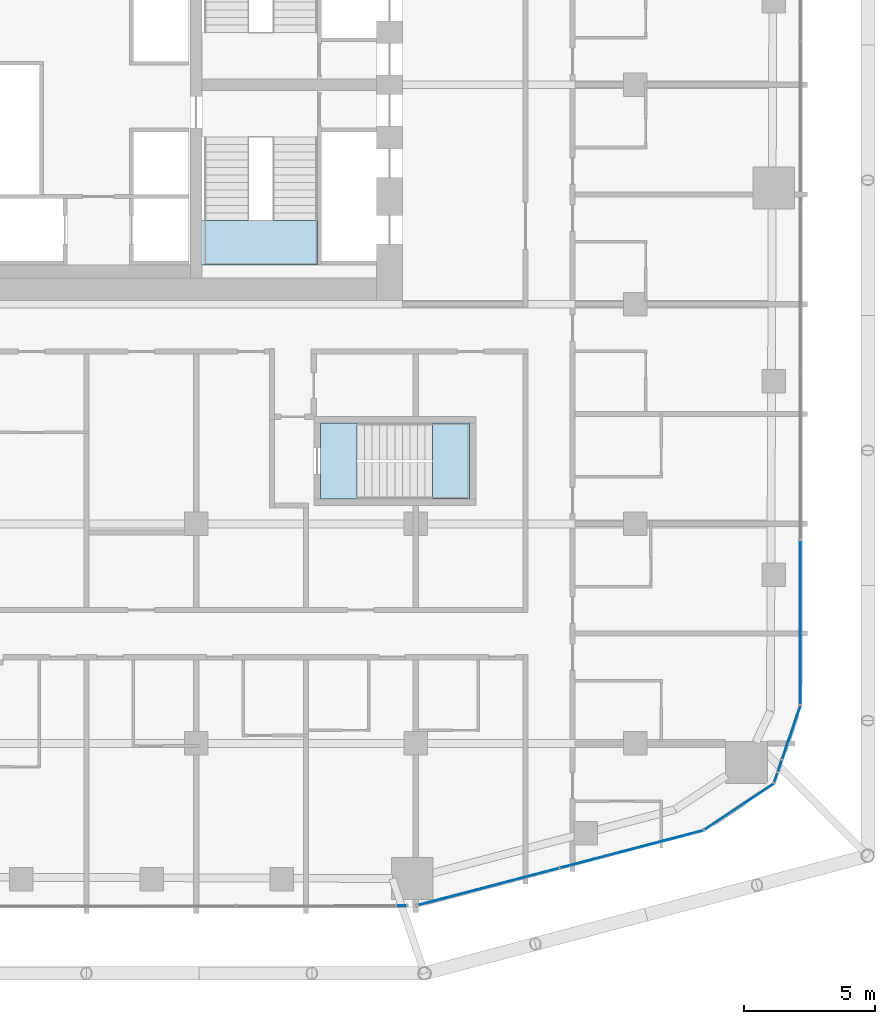
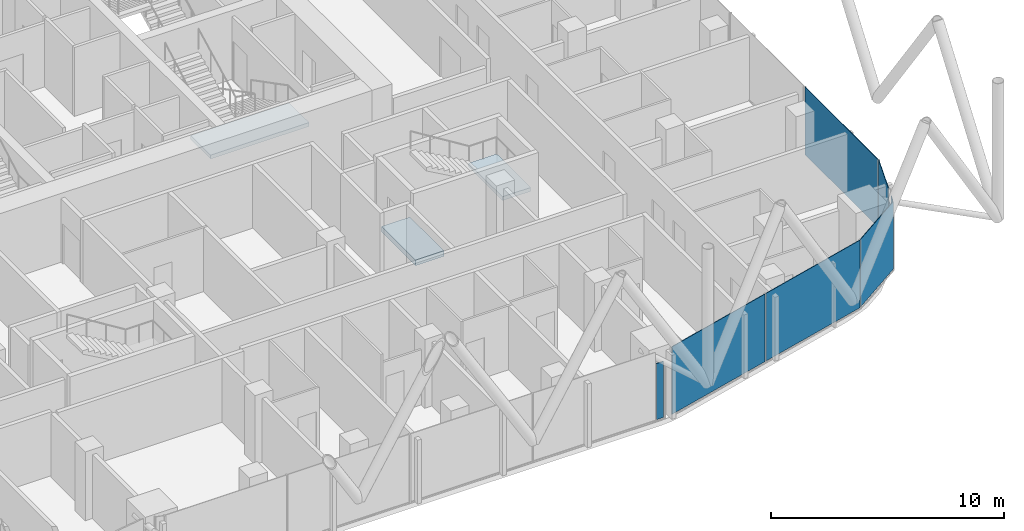
# One storey, part 20 of 33: 8 plates, 3 slabs, 9 elements without a shape of their own.
"""IFC4 building model written with IfcOpenShell, lengths in metres."""

from ifc_helpers import new_model, si_unit, direction, frame, origin, origin_2d, place, context, subcontext, project, spatial, polyline, rectangle, outline, extrude, material, layer, layer_set, type_object, element, aggregate, save


model = new_model("IFC4")

# Units and contexts
model_context = context("Model", 3, precision=1e-05, world=origin(), true_north=direction((0.0, 1.0)))
body_context = subcontext(model_context, "Body", "Model", "MODEL_VIEW")
ifc_project = project(units=[si_unit("LENGTHUNIT", "METRE"), si_unit("AREAUNIT", "SQUARE_METRE"), si_unit("VOLUMEUNIT", "CUBIC_METRE"), si_unit("PLANEANGLEUNIT", "RADIAN"), si_unit("MASSUNIT", "GRAM", prefix="KILO")], contexts=[model_context])

# Site, building, storey
site_placement = place(None, origin())
site = spatial("IfcSite", under=ifc_project, at=site_placement, CompositionType="ELEMENT")
building_placement = place(site_placement, origin())
building = spatial("IfcBuilding", under=site, at=building_placement, Name="Marenta Gate Hotel Tower", CompositionType="ELEMENT")
storey_placement = place(building_placement, frame((0.0, 0.0, 137.300048828125)))
storey = spatial("IfcBuildingStorey", under=building, at=storey_placement, Name="L31", CompositionType="ELEMENT", Elevation=137.300048828125)

# Stair, slab
ifc_material_1 = material(Name="Concrete C40", Category="concrete")
stair_type_1 = type_object("IfcStairType", Name="Core exit stair 1700 wide", PredefinedType="HALF_TURN_STAIR", material=ifc_material_1)
stair_1_placement = place(storey_placement, origin())
stair_1 = element("IfcStair", 1, at=stair_1_placement, inside=storey, type_object=stair_type_1, Name="Exit stair 3", PredefinedType="HALF_TURN_STAIR")
ifc_material_2 = material(Name="Concrete C40", Category="concrete")
ifc_layer_1 = layer(ifc_material_2, 0.199951171875)
ifc_layer_set_1 = layer_set([ifc_layer_1], Name="Concrete C40")
slab_type_1 = type_object("IfcSlabType", Name="Core stair landing 200", PredefinedType="LANDING", material=ifc_layer_set_1)
slab_1_placement = place(storey_placement, frame((0.0, 0.0, 1.599853515625)))
slab_1 = element("IfcSlab", 2, at=slab_1_placement, type_object=slab_type_1, Name="SL-200 ST3 landing 1", PredefinedType="LANDING", context=body_context, shape_type="SweptSolid", body=[
    extrude(outline(polyline([(3.97509765625, 1.5), (8.85009765625, 1.5), (8.85009765625, 3.2099609375), (3.97509765625, 3.2099609375), (3.97509765625, 1.5)])), origin(), (0.0, 0.0, 1.0), 0.2001953125),
])
aggregate(stair_1, [slab_1])

# Curtain wall, plate
ifc_material_3 = material(Name="Tinted insulated glass in bronze anodised frame", Category="glass")
ifc_layer_2 = layer(ifc_material_3, 0.1201171875)
ifc_layer_set_2 = layer_set([ifc_layer_2], Name="Tinted insulated glass in bronze anodised frame")
curtain_wall_type = type_object("IfcCurtainWallType", Name="Tower unitised curtain wall CW1", PredefinedType="NOTDEFINED", material=ifc_layer_set_2)
curtain_wall_1_placement = place(storey_placement, origin())
curtain_wall_1 = element("IfcCurtainWall", 3, at=curtain_wall_1_placement, inside=storey, type_object=curtain_wall_type, Name="CW1 run G13", PredefinedType="NOTDEFINED")
ifc_material_4 = material(Name="Tinted insulated glass", Category="glass")
ifc_layer_3 = layer(ifc_material_4, 0.028076171875)
ifc_layer_set_3 = layer_set([ifc_layer_3], Name="Tinted insulated glass")
plate_type = type_object("IfcPlateType", Name="Glass panel CW1 28 mm tinted insulated unit", PredefinedType="CURTAIN_PANEL", material=ifc_layer_set_3)
plate_1_placement = place(storey_placement, frame((12.060791015625, -23.013916015625, 0.06005859375), z_axis=(0.0, 0.0, 1.0), x_axis=(0.999999212858, 0.001254704164, 0.0)))
plate_1 = element("IfcPlate", 4, at=plate_1_placement, type_object=plate_type, Name="CW1 panel 1.1", PredefinedType="CURTAIN_PANEL", context=body_context, shape_type="SweptSolid", body=[
    extrude(rectangle(XDim=0.358154296875, YDim=0.028076171875, at=origin_2d()), origin(), (0.0, 0.0, 1.0), 2.9404296875),
])
aggregate(curtain_wall_1, [plate_1])

# Curtain wall, plates
curtain_wall_2_placement = place(storey_placement, origin())
curtain_wall_2 = element("IfcCurtainWall", 5, at=curtain_wall_2_placement, inside=storey, type_object=curtain_wall_type, Name="CW1 run G14", PredefinedType="NOTDEFINED")
plate_2_placement = place(storey_placement, frame((15.36474609375, -22.28857421875, 0.059814453125), z_axis=(0.0, 0.0, 1.0), x_axis=(0.967368326473, 0.253374270473, 0.0)))
plate_2 = element("IfcPlate", 6, at=plate_2_placement, type_object=plate_type, Name="CW1 panel 1.1", PredefinedType="CURTAIN_PANEL", context=body_context, shape_type="SweptSolid", body=[
    extrude(rectangle(XDim=5.6005859375, YDim=0.028076171875, at=origin_2d()), origin(), (0.0, 0.0, 1.0), 3.5400390625),
])
plate_3_placement = place(storey_placement, frame((20.86962890625, -20.8466796875, 0.059814453125), z_axis=(0.0, 0.0, 1.0), x_axis=(0.967368326473, 0.253374270473, 0.0)))
plate_3 = element("IfcPlate", 7, at=plate_3_placement, type_object=plate_type, Name="CW1 panel 2.1", PredefinedType="CURTAIN_PANEL", context=body_context, shape_type="SweptSolid", body=[
    extrude(rectangle(XDim=5.66064453125, YDim=0.028076171875, at=origin_2d()), origin(), (0.0, 0.0, 1.0), 3.5400390625),
])
aggregate(curtain_wall_2, [plate_2, plate_3])

# Curtain wall, plate
curtain_wall_3_placement = place(storey_placement, origin())
curtain_wall_3 = element("IfcCurtainWall", 8, at=curtain_wall_3_placement, inside=storey, type_object=curtain_wall_type, Name="CW1 run G15", PredefinedType="NOTDEFINED")
plate_4_placement = place(storey_placement, frame((24.981201171875, -19.215576171875, 0.059814453125), z_axis=(0.0, 0.0, 1.0), x_axis=(0.832505857051, 0.554016243423, 0.0)))
plate_4 = element("IfcPlate", 9, at=plate_4_placement, type_object=plate_type, Name="CW1 panel 1.1", PredefinedType="CURTAIN_PANEL", context=body_context, shape_type="SweptSolid", body=[
    extrude(rectangle(XDim=3.179931640625, YDim=0.028076171875, at=origin_2d()), origin(), (0.0, 0.0, 1.0), 3.5400390625),
])
aggregate(curtain_wall_3, [plate_4])

curtain_wall_4_placement = place(storey_placement, origin())
curtain_wall_4 = element("IfcCurtainWall", 10, at=curtain_wall_4_placement, inside=storey, type_object=curtain_wall_type, Name="CW1 run G16", PredefinedType="NOTDEFINED")
plate_5_placement = place(storey_placement, frame((26.383544921875, -18.103515625, 0.059814453125), z_axis=(0.0, 0.0, 1.0), x_axis=(0.322036701561, 0.946727185016, 0.0)))
plate_5 = element("IfcPlate", 11, at=plate_5_placement, type_object=plate_type, Name="CW1 panel 1.1", PredefinedType="CURTAIN_PANEL", context=body_context, shape_type="SweptSolid", body=[
    extrude(rectangle(XDim=0.3681640625, YDim=0.028076171875, at=origin_2d()), origin(), (0.0, 0.0, 1.0), 3.5400390625),
])
aggregate(curtain_wall_4, [plate_5])

curtain_wall_5_placement = place(storey_placement, origin())
curtain_wall_5 = element("IfcCurtainWall", 12, at=curtain_wall_5_placement, inside=storey, type_object=curtain_wall_type, Name="CW1 run G17", PredefinedType="NOTDEFINED")
plate_6_placement = place(storey_placement, frame((26.533935546875, -17.6611328125, 0.06005859375), z_axis=(0.0, 0.0, 1.0), x_axis=(0.322030237029, 0.946729383953, 0.0)))
plate_6 = element("IfcPlate", 13, at=plate_6_placement, type_object=plate_type, Name="CW1 panel 1.1", PredefinedType="CURTAIN_PANEL", context=body_context, shape_type="SweptSolid", body=[
    extrude(rectangle(XDim=0.4462890625, YDim=0.028076171875, at=origin_2d()), origin(), (0.0, 0.0, 1.0), 2.9404296875),
])
aggregate(curtain_wall_5, [plate_6])

curtain_wall_6_placement = place(storey_placement, origin())
curtain_wall_6 = element("IfcCurtainWall", 14, at=curtain_wall_6_placement, inside=storey, type_object=curtain_wall_type, Name="CW1 run G18", PredefinedType="NOTDEFINED")
plate_7_placement = place(storey_placement, frame((26.969482421875, -16.380615234375, 0.059814453125), z_axis=(0.0, 0.0, 1.0), x_axis=(0.322033162785, 0.946728388751, 0.0)))
plate_7 = element("IfcPlate", 15, at=plate_7_placement, type_object=plate_type, Name="CW1 panel 1.1", PredefinedType="CURTAIN_PANEL", context=body_context, shape_type="SweptSolid", body=[
    extrude(rectangle(XDim=2.13916015625, YDim=0.028076171875, at=origin_2d()), origin(), (0.0, 0.0, 1.0), 3.5400390625),
])
aggregate(curtain_wall_6, [plate_7])

curtain_wall_7_placement = place(storey_placement, origin())
curtain_wall_7 = element("IfcCurtainWall", 16, at=curtain_wall_7_placement, inside=storey, type_object=curtain_wall_type, Name="CW1 run G19", PredefinedType="NOTDEFINED")
plate_8_placement = place(storey_placement, frame((27.31396484375, -12.173095703125, 0.059814453125), z_axis=(0.0, 0.0, 1.0), x_axis=(0.0, 1.0, 0.0)))
plate_8 = element("IfcPlate", 17, at=plate_8_placement, type_object=plate_type, Name="CW1 panel 1.1", PredefinedType="CURTAIN_PANEL", context=body_context, shape_type="SweptSolid", body=[
    extrude(rectangle(XDim=6.27001953125, YDim=0.028076171875, at=origin_2d()), origin(), (0.0, 0.0, 1.0), 3.5400390625),
])
aggregate(curtain_wall_7, [plate_8])

# Stair, slab
ifc_material_5 = material(Name="Concrete C40", Category="concrete")
stair_type_2 = type_object("IfcStairType", Name="Remote exit stair 1400 wide", PredefinedType="HALF_TURN_STAIR", material=ifc_material_5)
stair_2_placement = place(storey_placement, origin())
stair_2 = element("IfcStair", 18, at=stair_2_placement, inside=storey, type_object=stair_type_2, Name="Exit stair RS-Z2-2", PredefinedType="HALF_TURN_STAIR")
ifc_material_6 = material(Name="Concrete C40", Category="concrete")
ifc_layer_4 = layer(ifc_material_6, 0.199951171875)
ifc_layer_set_4 = layer_set([ifc_layer_4], Name="Concrete C40")
slab_type_2 = type_object("IfcSlabType", Name="Remote stair landing 200", PredefinedType="LANDING", material=ifc_layer_set_4)
slab_2_placement = place(storey_placement, frame((0.0, 0.0, 1.599853515625)))
slab_2 = element("IfcSlab", 19, at=slab_2_placement, type_object=slab_type_2, Name="RL-200 RS-Z2-2 landing 1", PredefinedType="LANDING", context=body_context, shape_type="SweptSolid", body=[
    extrude(outline(polyline([(13.25, -7.449951171875), (14.64990234375, -7.449951171875), (14.64990234375, -4.550048828125), (13.25, -4.550048828125), (13.25, -7.449951171875)])), origin(), (0.0, 0.0, 1.0), 0.2001953125),
])
aggregate(stair_2, [slab_2])

# Slab
ifc_material_7 = material(Name="Concrete C40", Category="concrete")
ifc_layer_5 = layer(ifc_material_7, 0.300048828125)
ifc_layer_set_5 = layer_set([ifc_layer_5], Name="Concrete C40")
slab_type_3 = type_object("IfcSlabType", Name="Stair floor landing slab 300", PredefinedType="FLOOR", material=ifc_layer_set_5)
slab_3_placement = place(storey_placement, frame((0.0, 0.0, -0.300048828125)))
element("IfcSlab", 20, at=slab_3_placement, inside=storey, type_object=slab_type_3, Name="L31-RS-Z2-2-CL", PredefinedType="FLOOR", context=body_context, shape_type="SweptSolid", body=[
    extrude(outline(polyline([(10.35009765625, -7.449951171875), (10.35009765625, -4.550048828125), (8.949951171875, -4.550048828125), (8.949951171875, -7.449951171875), (10.35009765625, -7.449951171875)])), origin(), (0.0, 0.0, 1.0), 0.300048828125),
])

save(model, "model.ifc")
